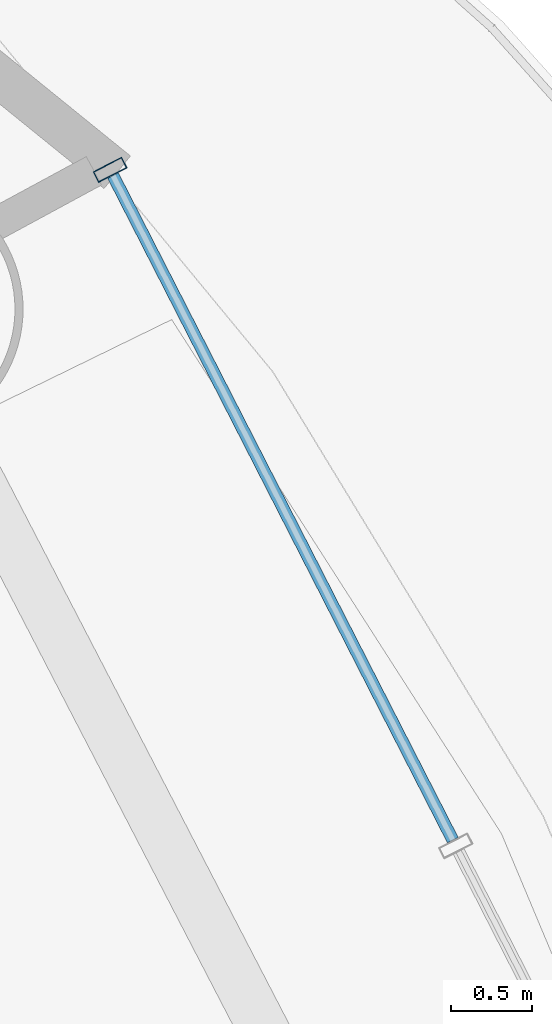
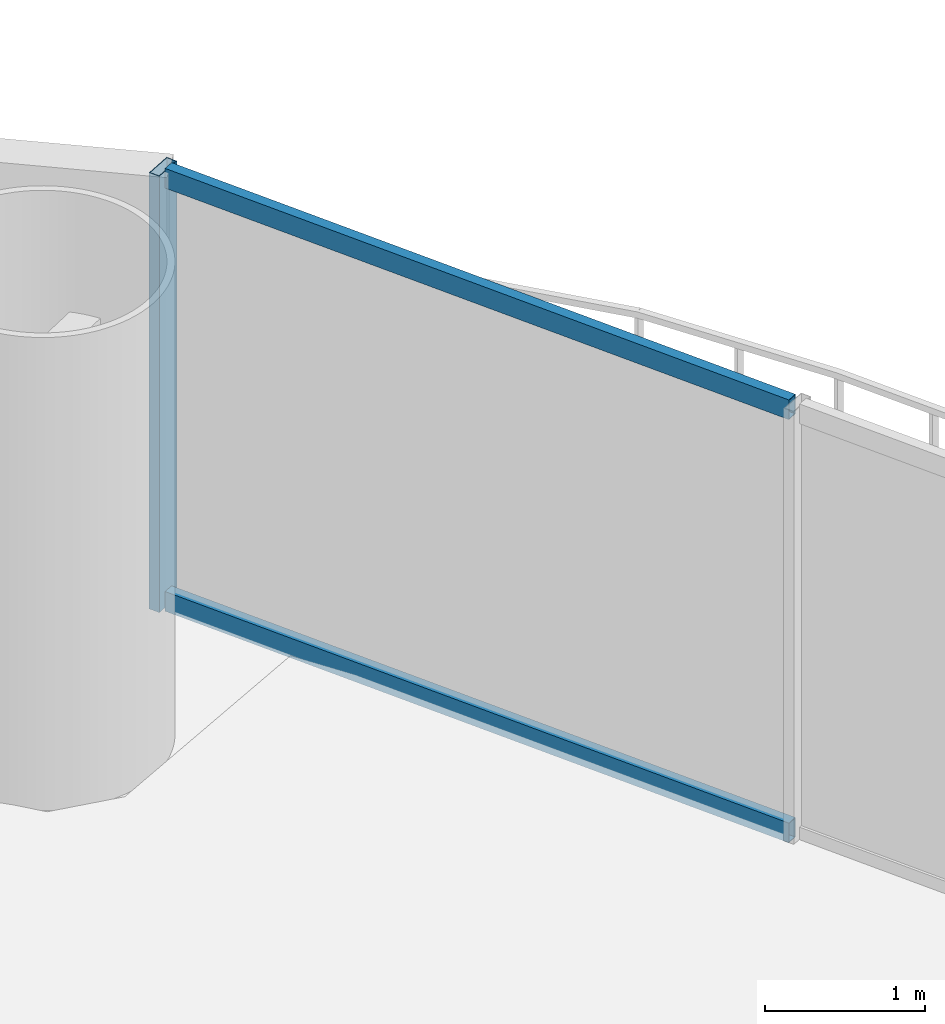
# One storey, part 21 of 30: 3 members, 1 element without a shape of its own.
"""IFC4 building model written with IfcOpenShell, lengths in metres."""

from ifc_helpers import new_model, si_unit, direction, frame, origin, origin_2d, place, context, subcontext, project, spatial, hollow_rectangle, extrude, source, transform, mapped, material, material_profile, profile_set, type_object, element, aggregate, save


model = new_model("IFC4")

# Units and contexts
model_context = context("Model", 3, precision=1e-05, world=origin(), true_north=direction((-0.2419218956, 0.970295726276)))
body_context = subcontext(model_context, "Body", "Model", "MODEL_VIEW")
ifc_project = project(units=[si_unit("LENGTHUNIT", "METRE"), si_unit("AREAUNIT", "SQUARE_METRE"), si_unit("VOLUMEUNIT", "CUBIC_METRE"), si_unit("PLANEANGLEUNIT", "RADIAN"), si_unit("MASSUNIT", "GRAM", prefix="KILO")], contexts=[model_context])

# Site, building, storey
site_placement = place(None, origin())
site = spatial("IfcSite", under=ifc_project, at=site_placement, CompositionType="ELEMENT")
building_placement = place(site_placement, origin())
building = spatial("IfcBuilding", under=site, at=building_placement, Name="Cobrevalo Terracotta Tower", CompositionType="ELEMENT")
storey_placement = place(building_placement, frame((0.0, 0.0, 60.0)))
storey = spatial("IfcBuildingStorey", under=building, at=storey_placement, Name="L15", CompositionType="ELEMENT", Elevation=60.0)

# Curtain wall, members
ifc_material = material(Name="Anodized aluminium", Category="aluminium")
curtain_wall_type = type_object("IfcCurtainWallType", Name="Lower-tower unitised acoustic low-E curtain wall CW-U1", PredefinedType="NOTDEFINED", material=ifc_material)
curtain_wall_placement = place(storey_placement, origin())
curtain_wall = element("IfcCurtainWall", 1, at=curtain_wall_placement, inside=storey, type_object=curtain_wall_type, Name="L15 curtain wall CW-L15-S01", PredefinedType="NOTDEFINED")
ifc_material_profile_1 = material_profile(ifc_material, hollow_rectangle(XDim=0.074951171875, YDim=0.199951171875, WallThickness=0.0048828125, at=origin_2d()), Name="CWM 75x200")
ifc_profile_set_1 = profile_set([ifc_material_profile_1], Name="Anodized aluminium")
member_type_1 = type_object("IfcMemberType", Name="Lower/mid tower unitised mullion 75x200", PredefinedType="MULLION", material=ifc_profile_set_1)
shared_shape_1 = source(origin(), body_context, "Body", "SweptSolid", [
    extrude(hollow_rectangle(XDim=0.074951171875, YDim=0.199951171875, WallThickness=0.0048828125, at=origin_2d()), origin(), (0.0, 0.0, 1.0), 3.320068359375),
])
member_1_placement = place(storey_placement, frame((62.10595703125, 39.8037109375, 0.0), z_axis=(0.0, 0.0, 1.0), x_axis=(-0.455234136597, 0.890371765543, 0.0)))
member_1 = element("IfcMember", 2, at=member_1_placement, type_object=member_type_1, Name="CW-L15-S01 vertical mullion 03", PredefinedType="MULLION", context=body_context, shape_type="MappedRepresentation", body=[
    mapped(shared_shape_1, transform((0.0, 0.0, 0.0), scale=1.0)),
])
ifc_material_profile_2 = material_profile(ifc_material, hollow_rectangle(XDim=0.074951171875, YDim=0.14990234375, WallThickness=0.00439453125, at=origin_2d()), Name="CWT 75x150")
ifc_profile_set_2 = profile_set([ifc_material_profile_2], Name="Anodized aluminium")
member_type_2 = type_object("IfcMemberType", Name="Tower unitised aluminium transom 75x150", PredefinedType="USERDEFINED", material=ifc_profile_set_2)
shared_shape_2 = source(origin(), body_context, "Body", "SweptSolid", [
    extrude(hollow_rectangle(XDim=0.074951171875, YDim=0.14990234375, WallThickness=0.00439453125, at=origin_2d()), origin(), (0.0, 0.0, 1.0), 4.63134765625),
])
member_2_placement = place(storey_placement, frame((64.232421875, 35.64453125, 0.050048828125), z_axis=(-0.455250376494, 0.890363462133, 0.0), x_axis=(-0.890363462133, -0.455250376494, 0.0)))
member_2 = element("IfcMember", 3, at=member_2_placement, type_object=member_type_2, Name="CW-L15-S01 transom B02-T1", ObjectType="TRANSOM", PredefinedType="USERDEFINED", context=body_context, shape_type="MappedRepresentation", body=[
    mapped(shared_shape_2, transform((0.0, 0.0, 0.0), scale=1.0)),
])
member_3_placement = place(storey_placement, frame((64.232421875, 35.64453125, 3.27001953125), z_axis=(-0.455250376494, 0.890363462133, 0.0), x_axis=(-0.890363462133, -0.455250376494, 0.0)))
member_3 = element("IfcMember", 4, at=member_3_placement, type_object=member_type_2, Name="CW-L15-S01 transom B02-T2", ObjectType="TRANSOM", PredefinedType="USERDEFINED", context=body_context, shape_type="MappedRepresentation", body=[
    mapped(shared_shape_2, transform((0.0, 0.0, 0.0), scale=1.0)),
])
aggregate(curtain_wall, [member_1, member_2, member_3])

save(model, "model.ifc")
